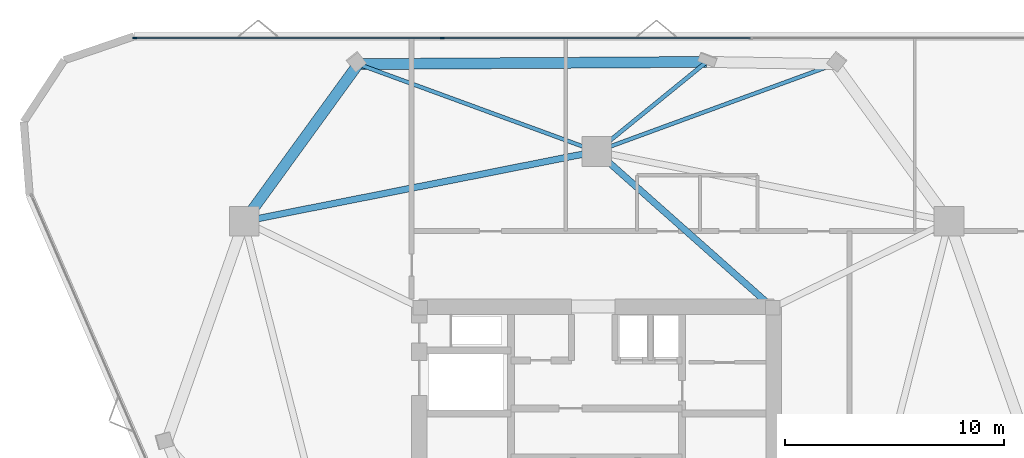
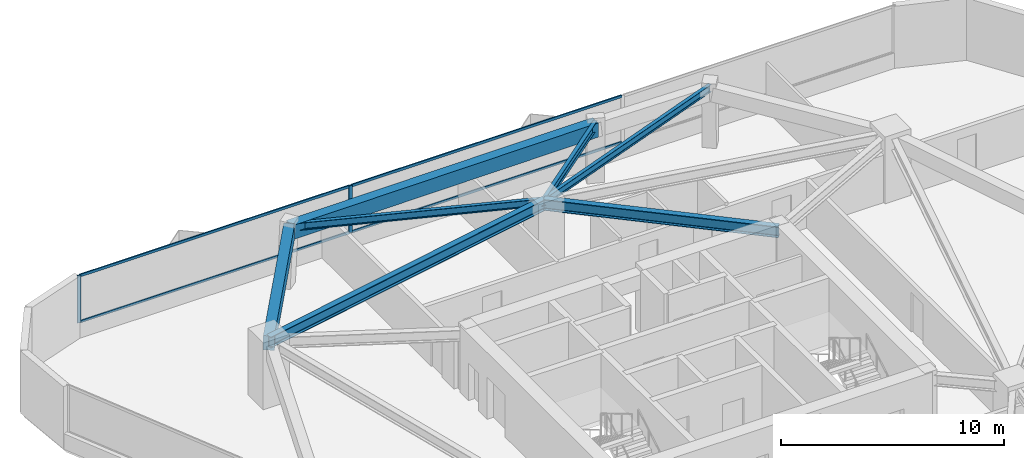
# One storey, part 6 of 12: 7 beams, 6 members, 1 element without a shape of its own.
"""IFC4 building model written with IfcOpenShell, lengths in metres."""

from ifc_helpers import new_model, si_unit, direction, frame, origin, origin_2d, place, context, subcontext, project, spatial, rectangle, i_section, extrude, material, layer, layer_set, material_profile, profile_set, type_object, element, aggregate, save


model = new_model("IFC4")

# Units and contexts
model_context = context("Model", 3, precision=1e-05, world=origin(), true_north=direction((0.0, 1.0)))
body_context = subcontext(model_context, "Body", "Model", "MODEL_VIEW")
ifc_project = project(units=[si_unit("LENGTHUNIT", "METRE"), si_unit("AREAUNIT", "SQUARE_METRE"), si_unit("VOLUMEUNIT", "CUBIC_METRE"), si_unit("PLANEANGLEUNIT", "RADIAN"), si_unit("MASSUNIT", "GRAM", prefix="KILO")], contexts=[model_context])

# Site, building, storey
site_placement = place(None, origin())
site = spatial("IfcSite", under=ifc_project, at=site_placement, CompositionType="ELEMENT")
building_placement = place(site_placement, origin())
building = spatial("IfcBuilding", under=site, at=building_placement, Name="Talyreon Biosciences Tower", CompositionType="ELEMENT")
storey_placement = place(building_placement, frame((0.0, 0.0, 194.0)))
storey = spatial("IfcBuildingStorey", under=building, at=storey_placement, Name="L51", CompositionType="ELEMENT", Elevation=194.0)

# Curtain wall, members
ifc_material_1 = material(Name="Thermally broken aluminium and low-E glazing", Category="aluminium")
ifc_layer = layer(ifc_material_1, 0.179931640625)
ifc_layer_set = layer_set([ifc_layer], Name="Thermally broken aluminium and low-E glazing")
curtain_wall_type = type_object("IfcCurtainWallType", Name="CurtainWall_Zone4Optical", PredefinedType="NOTDEFINED", material=ifc_layer_set)
curtain_wall_placement = place(storey_placement, origin())
curtain_wall = element("IfcCurtainWall", 1, at=curtain_wall_placement, inside=storey, type_object=curtain_wall_type, Name="L51 Unitised Curtain Wall FCW-L51-04", PredefinedType="NOTDEFINED")
ifc_material_2 = material(Name="Anodised thermally broken aluminium", Category="aluminium")
ifc_material_profile_1 = material_profile(ifc_material_2, rectangle(XDim=0.06494140625, YDim=0.179931640625, at=origin_2d()), Name="ALUM MULLION 65x180")
ifc_profile_set_1 = profile_set([ifc_material_profile_1], Name="Anodised thermally broken aluminium")
member_type_1 = type_object("IfcMemberType", Name="CWMullion_65x180", PredefinedType="MULLION", material=ifc_profile_set_1)
member_1_placement = place(storey_placement, frame((44.90185546875, 86.971923828125, 0.81005859375), z_axis=(0.0, 0.0, 1.0), x_axis=(0.0, 1.0, 0.0)))
member_1 = element("IfcMember", 2, at=member_1_placement, type_object=member_type_1, Name="CW5 mullion 1", PredefinedType="MULLION", context=body_context, shape_type="SweptSolid", body=[
    extrude(rectangle(XDim=0.06494140625, YDim=0.179931640625, at=origin_2d()), origin(), (0.0, 0.0, 1.0), 2.58984375),
])
member_2_placement = place(storey_placement, frame((58.95654296875, 86.971923828125, 0.81005859375), z_axis=(0.0, 0.0, 1.0), x_axis=(0.0, 1.0, 0.0)))
member_2 = element("IfcMember", 3, at=member_2_placement, type_object=member_type_1, Name="CW5 mullion 2", PredefinedType="MULLION", context=body_context, shape_type="SweptSolid", body=[
    extrude(rectangle(XDim=0.06494140625, YDim=0.179931640625, at=origin_2d()), origin(), (0.0, 0.0, 1.0), 2.58984375),
])
ifc_material_profile_2 = material_profile(ifc_material_2, rectangle(XDim=0.06494140625, YDim=0.139892578125, at=origin_2d()), Name="ALUM TRANSOM 65x140")
ifc_profile_set_2 = profile_set([ifc_material_profile_2], Name="Anodised thermally broken aluminium")
member_type_2 = type_object("IfcMemberType", Name="CWTransom_65x140", PredefinedType="USERDEFINED", material=ifc_profile_set_2)
member_3_placement = place(storey_placement, frame((44.934326171875, 86.971923828125, 0.842529296875), z_axis=(1.0, 0.0, 0.0), x_axis=(0.0, 1.0, 0.0)))
member_3 = element("IfcMember", 4, at=member_3_placement, type_object=member_type_2, Name="CW5 transom 1.1", ObjectType="TRANSOM", PredefinedType="USERDEFINED", context=body_context, shape_type="SweptSolid", body=[
    extrude(rectangle(XDim=0.06494140625, YDim=0.139892578125, at=origin_2d()), origin(), (0.0, 0.0, 1.0), 13.98974609375),
])
member_4_placement = place(storey_placement, frame((44.934326171875, 86.971923828125, 3.367431640625), z_axis=(1.0, 0.0, 0.0), x_axis=(0.0, 1.0, 0.0)))
member_4 = element("IfcMember", 5, at=member_4_placement, type_object=member_type_2, Name="CW5 transom 1.2", ObjectType="TRANSOM", PredefinedType="USERDEFINED", context=body_context, shape_type="SweptSolid", body=[
    extrude(rectangle(XDim=0.06494140625, YDim=0.139892578125, at=origin_2d()), origin(), (0.0, 0.0, 1.0), 13.98974609375),
])
member_5_placement = place(storey_placement, frame((58.989013671875, 86.971923828125, 0.842529296875), z_axis=(1.0, 0.0, 0.0), x_axis=(0.0, 1.0, 0.0)))
member_5 = element("IfcMember", 6, at=member_5_placement, type_object=member_type_2, Name="CW5 transom 2.1", ObjectType="TRANSOM", PredefinedType="USERDEFINED", context=body_context, shape_type="SweptSolid", body=[
    extrude(rectangle(XDim=0.06494140625, YDim=0.139892578125, at=origin_2d()), origin(), (0.0, 0.0, 1.0), 14.022216796875),
])
member_6_placement = place(storey_placement, frame((58.989013671875, 86.971923828125, 3.367431640625), z_axis=(1.0, 0.0, 0.0), x_axis=(0.0, 1.0, 0.0)))
member_6 = element("IfcMember", 7, at=member_6_placement, type_object=member_type_2, Name="CW5 transom 2.2", ObjectType="TRANSOM", PredefinedType="USERDEFINED", context=body_context, shape_type="SweptSolid", body=[
    extrude(rectangle(XDim=0.06494140625, YDim=0.139892578125, at=origin_2d()), origin(), (0.0, 0.0, 1.0), 14.022216796875),
])
aggregate(curtain_wall, [member_1, member_2, member_3, member_4, member_5, member_6])

# Beams
ifc_material_3 = material(Name="Precast concrete C45/55", Category="concrete")
ifc_material_profile_3 = material_profile(ifc_material_3, rectangle(XDim=0.5, YDim=0.780029296875, at=origin_2d()), Name="RCB 500x780")
ifc_profile_set_3 = profile_set([ifc_material_profile_3], Name="Precast concrete C45/55")
beam_type_1 = type_object("IfcBeamType", Name="ExpressedSpandrel_500x780", PredefinedType="SPANDREL", material=ifc_profile_set_3)
beam_1_placement = place(storey_placement, frame((71.026123046875, 85.8798828125, 3.010009765625), z_axis=(-0.999980224101, -0.006288990856, 0.0), x_axis=(0.006288990856, -0.999980224101, 0.0)))
element("IfcBeam", 8, at=beam_1_placement, inside=storey, type_object=beam_type_1, Name="L51 Expressed Horizontal Concrete Spandrel 07", PredefinedType="SPANDREL", context=body_context, shape_type="SweptSolid", body=[
    extrude(rectangle(XDim=0.5, YDim=0.780029296875, at=origin_2d()), origin(), (0.0, 0.0, 1.0), 15.916259765625),
])
beam_2_placement = place(storey_placement, frame((55.110107421875, 85.77978515625, 3.010009765625), z_axis=(-0.587415634443, -0.809285408501, 0.0), x_axis=(0.809285408501, -0.587415634443, 0.0)))
element("IfcBeam", 9, at=beam_2_placement, inside=storey, type_object=beam_type_1, Name="L51 Expressed Horizontal Concrete Spandrel 08", PredefinedType="SPANDREL", context=body_context, shape_type="SweptSolid", body=[
    extrude(rectangle(XDim=0.5, YDim=0.780029296875, at=origin_2d()), origin(), (0.0, 0.0, 1.0), 8.87353515625),
])
ifc_material_4 = material(Name="Steel SM355", Category="steel")
ifc_material_profile_4 = material_profile(ifc_material_4, i_section(OverallWidth=0.300048828125, OverallDepth=0.60009765625, WebThickness=0.015380859375, FlangeThickness=0.030029296875, FilletRadius=0.027099609375, at=origin_2d()), Name="HE600B")
ifc_profile_set_4 = profile_set([ifc_material_profile_4], Name="Steel SM355")
beam_type_2 = type_object("IfcBeamType", Name="SteelBeam_HE600B", PredefinedType="BEAM", material=ifc_profile_set_4)
beam_3_placement = place(storey_placement, frame((66.0, 81.788818359375, 3.10009765625), z_axis=(-0.980933730698, -0.194342522311, 0.0), x_axis=(0.194342522311, -0.980933730698, 0.0)))
element("IfcBeam", 10, at=beam_3_placement, inside=storey, type_object=beam_type_2, Name="L51 Mega-Ring Girder 4", PredefinedType="BEAM", context=body_context, shape_type="SweptSolid", body=[
    extrude(i_section(OverallWidth=0.300048828125, OverallDepth=0.60009765625, WebThickness=0.015380859375, FlangeThickness=0.030029296875, FilletRadius=0.027099609375, at=origin_2d()), origin(), (0.0, 0.0, 1.0), 16.415283203125),
])
beam_4_placement = place(storey_placement, frame((74.050048828125, 74.64990234375, 3.10009765625), z_axis=(-0.748178733955, 0.663497235908, 0.0), x_axis=(-0.663497235908, -0.748178733955, 0.0)))
element("IfcBeam", 11, at=beam_4_placement, inside=storey, type_object=beam_type_2, Name="L51 Radial Primary Girder 4", PredefinedType="BEAM", context=body_context, shape_type="SweptSolid", body=[
    extrude(i_section(OverallWidth=0.300048828125, OverallDepth=0.60009765625, WebThickness=0.015380859375, FlangeThickness=0.030029296875, FilletRadius=0.027099609375, at=origin_2d()), origin(), (0.0, 0.0, 1.0), 10.759521484375),
])
ifc_material_profile_5 = material_profile(ifc_material_4, i_section(OverallWidth=0.179931640625, OverallDepth=0.39990234375, WebThickness=0.008544921875, FlangeThickness=0.013427734375, FilletRadius=0.02099609375, at=origin_2d()), Name="IPE400")
ifc_profile_set_5 = profile_set([ifc_material_profile_5], Name="Steel SM355")
beam_type_3 = type_object("IfcBeamType", Name="SteelJoist_IPE400", PredefinedType="JOIST", material=ifc_profile_set_5)
for number, where, z_axis, x_axis, name in (
    (12, (66.0, 81.788818359375, 3.199951171875), (0.938931866386, 0.344103109961, 0.0), (-0.344103109961, 0.938931866386, 0.0), "L51 Radial Composite Floor Joist PC-N1"),
    (13, (66.0, 81.788818359375, 3.199951171875), (-0.938931866386, 0.344103109961, 0.0), (-0.344103109961, -0.938931866386, 0.0), "L51 Radial Composite Floor Joist PC-N2"),
):
    element("IfcBeam", number, at=place(storey_placement, frame(where, z_axis=z_axis, x_axis=x_axis)), inside=storey, type_object=beam_type_3, Name=name, PredefinedType="JOIST", context=body_context, shape_type="SweptSolid", body=[
        extrude(i_section(OverallWidth=0.179931640625, OverallDepth=0.39990234375, WebThickness=0.008544921875, FlangeThickness=0.013427734375, FilletRadius=0.02099609375, at=origin_2d()), origin(), (0.0, 0.0, 1.0), 11.59814453125),
    ])
ifc_material_profile_6 = material_profile(ifc_material_4, i_section(OverallWidth=0.18994140625, OverallDepth=0.449951171875, WebThickness=0.009521484375, FlangeThickness=0.0146484375, FilletRadius=0.02099609375, at=origin_2d()), Name="IPE450")
ifc_profile_set_6 = profile_set([ifc_material_profile_6], Name="Steel SM355")
beam_type_4 = type_object("IfcBeamType", Name="SteelJoist_IPE450", PredefinedType="JOIST", material=ifc_profile_set_6)
beam_5_placement = place(storey_placement, frame((66.0, 81.788818359375, 3.175048828125), z_axis=(0.775559430126, 0.63127456019, 0.0), x_axis=(-0.63127456019, 0.775559430126, 0.0)))
element("IfcBeam", 14, at=beam_5_placement, inside=storey, type_object=beam_type_4, Name="L51 Radial Composite Floor Joist PL-N", PredefinedType="JOIST", context=body_context, shape_type="SweptSolid", body=[
    extrude(i_section(OverallWidth=0.18994140625, OverallDepth=0.449951171875, WebThickness=0.009521484375, FlangeThickness=0.0146484375, FilletRadius=0.02099609375, at=origin_2d()), origin(), (0.0, 0.0, 1.0), 6.480712890625),
])

save(model, "model.ifc")
